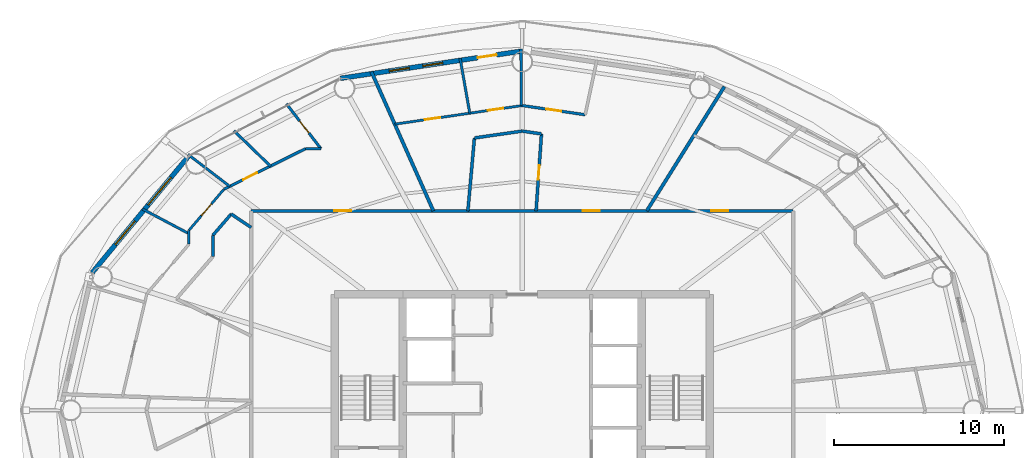
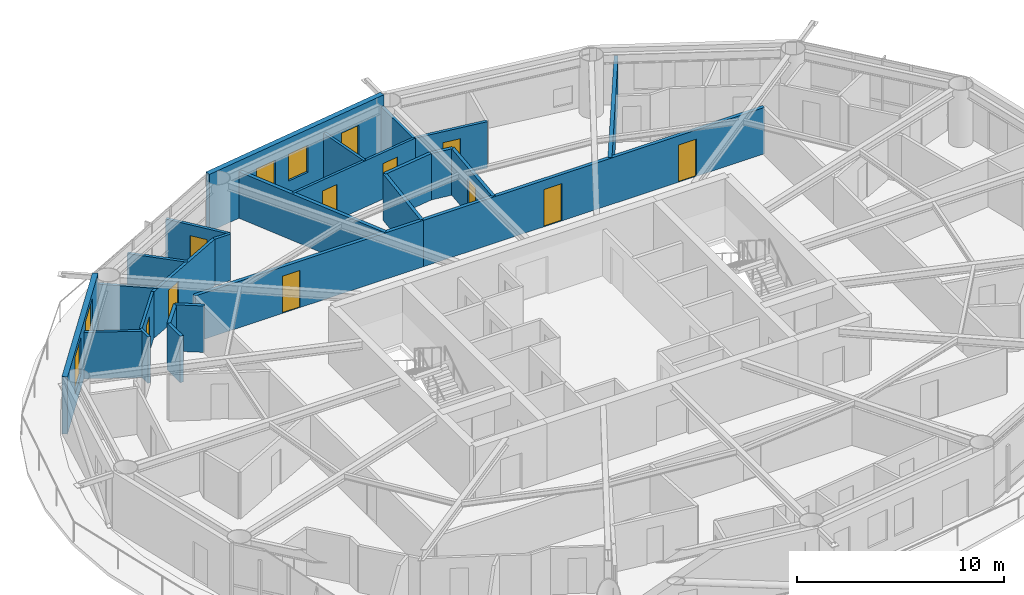
# One storey, part 23 of 27: 25 walls, 11 doors, 4 windows, 15 openings.
"""IFC4 building model written with IfcOpenShell, lengths in metres."""

import ifcopenshell
import ifcopenshell.guid

model = None  # the IFC model being written
_history = None  # IfcOwnerHistory: only IFC2X3 demands one
_inside = {}  # id of a spatial element -> (the spatial element, [elements in it])
_under = {}  # id of a project, library or spatial element -> (it, [spatial elements below it])
_declared = {}  # id of a project -> (the project, [libraries it declares])
_typed = {}  # id of a type object -> (the type object, [elements of that type])
_made_of = {}  # id of a material, layer set ... -> (it, [elements and type objects made of it])


def new_model(schema):
    """Start an empty IFC model of exactly this schema.

    Asked for "IFC4X3", IfcOpenShell would pick the latest addendum, in which some entities
    have other attributes; the version numbers below select the first issue.
    IFC2X3 requires an IfcOwnerHistory on every rooted entity: one is made here for all.
    """
    global model, _history
    if schema == "IFC4X3":
        model = ifcopenshell.file(schema_version=(4, 3, 0, 0))
    else:
        model = ifcopenshell.file(schema=schema)
    _inside.clear()
    _under.clear()
    _declared.clear()
    _typed.clear()
    _made_of.clear()
    _history = None
    if model.schema == "IFC2X3":
        org = make("IfcOrganization", Name="unknown")
        user = make(
            "IfcPersonAndOrganization",
            ThePerson=make("IfcPerson", FamilyName="unknown"),
            TheOrganization=org,
        )
        app = make(
            "IfcApplication",
            ApplicationDeveloper=org,
            Version="unknown",
            ApplicationFullName="unknown",
            ApplicationIdentifier="unknown",
        )
        _history = make(
            "IfcOwnerHistory",
            OwningUser=user,
            OwningApplication=app,
            ChangeAction="ADDED",
            CreationDate=0,
        )
    return model


def make(cls, **values):
    """One entity of the class cls with the attributes given. An attribute that is None is left unset."""
    return model.create_entity(
        cls, **{name: value for name, value in values.items() if value is not None}
    )


def rooted(cls, **values):
    """An entity with a GlobalId (a new one), such as an element, a storey or a relation."""
    return make(cls, GlobalId=ifcopenshell.guid.new(), OwnerHistory=_history, **values)


def si_unit(unit_type, name, prefix=None):
    """IfcSIUnit, for example si_unit("LENGTHUNIT", "METRE", prefix="MILLI")."""
    return make("IfcSIUnit", UnitType=unit_type, Prefix=prefix, Name=name)


def assignment(units):
    """IfcUnitAssignment: the units of a project."""
    return None if units is None else make("IfcUnitAssignment", Units=units)


def point(xyz):
    """IfcCartesianPoint."""
    return None if xyz is None else make("IfcCartesianPoint", Coordinates=xyz)


def direction(xyz):
    """IfcDirection."""
    return None if xyz is None else make("IfcDirection", DirectionRatios=xyz)


def frame(location, z_axis=None, x_axis=None):
    """IfcAxis2Placement3D, a coordinate frame: its origin and axes. An axis left out is left unset."""
    return make(
        "IfcAxis2Placement3D",
        Location=point(location),
        Axis=direction(z_axis),
        RefDirection=direction(x_axis),
    )


def frame_2d(location, x_axis=None):
    """IfcAxis2Placement2D, a coordinate frame in the plane: its origin and x axis."""
    return make(
        "IfcAxis2Placement2D", Location=point(location), RefDirection=direction(x_axis)
    )


def origin():
    """The frame at (0, 0, 0) with its axes left unset."""
    return frame((0.0, 0.0, 0.0))


def place(relative_to, where):
    """IfcLocalPlacement: puts the frame where relative to a parent placement (None: the world)."""
    return make(
        "IfcLocalPlacement", PlacementRelTo=relative_to, RelativePlacement=where
    )


def context(
    kind, dimensions, precision=None, world=None, true_north=None, identifier=None
):
    """IfcGeometricRepresentationContext, for example the 3D "Model" context."""
    return make(
        "IfcGeometricRepresentationContext",
        ContextIdentifier=identifier,
        ContextType=kind,
        CoordinateSpaceDimension=dimensions,
        Precision=precision,
        WorldCoordinateSystem=world,
        TrueNorth=true_north,
    )


def subcontext(parent, identifier, kind, view, scale=None):
    """IfcGeometricRepresentationSubContext, for example "Body" below "Model"."""
    return make(
        "IfcGeometricRepresentationSubContext",
        ContextIdentifier=identifier,
        ContextType=kind,
        ParentContext=parent,
        TargetScale=scale,
        TargetView=view,
    )


def project(units=None, contexts=None):
    """IfcProject with its units and contexts."""
    return rooted(
        "IfcProject",
        Name="project",
        RepresentationContexts=contexts,
        UnitsInContext=assignment(units),
    )


def spatial(cls, under=None, at=None, **own):
    """A site, building, storey or space (cls), placed at a placement, below another one or the project."""
    s = rooted(cls, ObjectPlacement=at, **own)
    if under is not None:
        _under.setdefault(under.id(), (under, []))[1].append(s)
    return s


def profile(cls, at=None, kind="AREA", **sizes):
    """A parametric profile (cls). Its sizes go by their IFC names, for example OverallWidth=200.0."""
    return make(cls, ProfileType=kind, Position=at, **sizes)


def rectangle(**sizes):
    """IfcRectangleProfileDef."""
    return profile("IfcRectangleProfileDef", **sizes)


def extrude(swept, where, along, depth):
    """IfcExtrudedAreaSolid: the profile swept, set in the frame where, extruded along a direction by depth."""
    return make(
        "IfcExtrudedAreaSolid",
        SweptArea=swept,
        Position=where,
        ExtrudedDirection=direction(along),
        Depth=depth,
    )


def shape(context_of_items, identifier, shape_type, items):
    """IfcShapeRepresentation: the items that make up one representation, for example the "Body"."""
    return make(
        "IfcShapeRepresentation",
        ContextOfItems=context_of_items,
        RepresentationIdentifier=identifier,
        RepresentationType=shape_type,
        Items=items,
    )


def material(Name=None, Category=None):
    """IfcMaterial."""
    return make("IfcMaterial", Name=Name, Category=Category)


def layer(
    of_material, thickness, ventilated=None, Name=None, Category=None, Priority=None
):
    """IfcMaterialLayer: one layer of a wall or slab, of a material (None: an air gap)."""
    return make(
        "IfcMaterialLayer",
        Material=of_material,
        LayerThickness=thickness,
        IsVentilated=ventilated,
        Name=Name,
        Category=Category,
        Priority=Priority,
    )


def layer_set(layers, Name=None):
    """IfcMaterialLayerSet."""
    return make("IfcMaterialLayerSet", MaterialLayers=layers, LayerSetName=Name)


def made_of(thing, what):
    """Note that an element or type object is made of a material, layer set ...; save() writes the relation."""
    if what is not None:
        _made_of.setdefault(what.id(), (what, []))[1].append(thing)
    return thing


def type_object(cls, material=None, **own):
    """A type object (cls), such as IfcWallType, which elements share."""
    return made_of(rooted(cls, **own), material)


def element(
    cls,
    number,
    at=None,
    inside=None,
    cuts=None,
    type_object=None,
    material=None,
    context=None,
    identifier="Body",
    shape_type=None,
    held_by="IfcProductDefinitionShape",
    body=None,
    shapes=None,
    **own,
):
    """One element of the class cls, such as IfcWall. Its Tag is "e" and its number.

    at: its placement. inside: the storey or other place that contains it. cuts: it is an
    opening in that element (IfcRelVoidsElement). A single representation is given by context,
    identifier, shape_type and body (its items); several are given by shapes. held_by: the class
    of the entity that holds the representations. save() writes the other relations.
    """
    e = rooted(cls, Tag="e%d" % number, ObjectPlacement=at, **own)
    if body is not None:
        shapes = [shape(context, identifier, shape_type, body)]
    if shapes is not None:
        e.Representation = make(held_by, Representations=shapes)
    if inside is not None:
        _inside.setdefault(inside.id(), (inside, []))[1].append(e)
    if cuts is not None:
        rooted(
            "IfcRelVoidsElement", RelatingBuildingElement=cuts, RelatedOpeningElement=e
        )
    if type_object is not None:
        _typed.setdefault(type_object.id(), (type_object, []))[1].append(e)
    return made_of(e, material)


def fill(opening, filler):
    """IfcRelFillsElement: the door or window that sits in an opening."""
    return rooted(
        "IfcRelFillsElement",
        RelatingOpeningElement=opening,
        RelatedBuildingElement=filler,
    )


def aggregate(whole, parts):
    """IfcRelAggregates: a whole, such as a stair, and the parts it consists of."""
    return rooted("IfcRelAggregates", RelatingObject=whole, RelatedObjects=parts)


def save(model, path):
    """Write the relations noted so far, then the file.

    IfcRelAggregates (storeys below a building ...), IfcRelContainedInSpatialStructure (elements
    in a storey), IfcRelDefinesByType, IfcRelAssociatesMaterial and IfcRelDeclares: one each for
    every whole, place, type object, material and project.
    """
    for whole, parts in _under.values():
        aggregate(whole, parts)
    for where, things in _inside.values():
        rooted(
            "IfcRelContainedInSpatialStructure",
            RelatedElements=things,
            RelatingStructure=where,
        )
    for kind, things in _typed.values():
        rooted("IfcRelDefinesByType", RelatedObjects=things, RelatingType=kind)
    for what, things in _made_of.values():
        rooted("IfcRelAssociatesMaterial", RelatedObjects=things, RelatingMaterial=what)
    for by, libraries in _declared.values():
        rooted("IfcRelDeclares", RelatingContext=by, RelatedDefinitions=libraries)
    model.write(path)


model = new_model("IFC4")

# Units and contexts
model_context = context("Model", 3, precision=1e-05, world=origin(), true_north=direction((0.0, 1.0)))
body_context = subcontext(model_context, "Body", "Model", "MODEL_VIEW")
ifc_project = project(units=[si_unit("LENGTHUNIT", "METRE"), si_unit("AREAUNIT", "SQUARE_METRE"), si_unit("VOLUMEUNIT", "CUBIC_METRE"), si_unit("PLANEANGLEUNIT", "RADIAN"), si_unit("MASSUNIT", "GRAM", prefix="KILO")], contexts=[model_context])

# Site, building, storey
site_placement = place(None, origin())
site = spatial("IfcSite", under=ifc_project, at=site_placement, CompositionType="ELEMENT")
building_placement = place(site_placement, origin())
building = spatial("IfcBuilding", under=site, at=building_placement, Name="Sarneth Arch Tower", CompositionType="ELEMENT")
storey_placement = place(building_placement, frame((0.0, 0.0, 193.800048828125)))
storey = spatial("IfcBuildingStorey", under=building, at=storey_placement, Name="L49", CompositionType="ELEMENT", Elevation=193.800048828125)

# Wall, opening, door
ifc_material_1 = material(Name="Double steel-stud corridor fire wall", Category="steel")
ifc_layer_1 = layer(ifc_material_1, 0.18994140625)
ifc_layer_set_1 = layer_set([ifc_layer_1], Name="Double steel-stud corridor fire wall")
wall_type_1 = type_object("IfcWallType", Name="WALL-CORR-190", PredefinedType="PARTITIONING", material=ifc_layer_set_1)
wall_1_placement = place(storey_placement, frame((32.10009765625, 53.699951171875, 0.0), z_axis=(0.0, 0.0, 1.0), x_axis=(1.0, 0.0, 0.0)))
wall_1 = element("IfcWall", 1, at=wall_1_placement, inside=storey, type_object=wall_type_1, Name="L49 Interior partition W-L49-TP-009", PredefinedType="PARTITIONING", context=body_context, shape_type="SweptSolid", body=[
    extrude(rectangle(XDim=12.748046875, YDim=0.18994140625, at=frame_2d((6.3740234375, 0.0))), origin(), (0.0, 0.0, 1.0), 2.739990234375),
])
opening_1_placement = place(wall_1_placement, frame((4.86279296875, 0.0, 0.0)))
opening_1 = element("IfcOpeningElement", 2, at=opening_1_placement, cuts=wall_1, Name="Opening FD-08", PredefinedType="OPENING", context=body_context, shape_type="SweptSolid", body=[
    extrude(rectangle(XDim=1.0, YDim=2.199951171875, at=frame_2d((0.5, 1.10009765625))), frame((0.0, 0.10498046875, 0.0), z_axis=(0.0, -1.0, 0.0), x_axis=(1.0, 0.0, 0.0)), (0.0, 0.0, 1.0), 0.2099609375),
])
ifc_material_2 = material(Name="Hardwood timber acoustic fire door", Category="wood")
door_type_1 = type_object("IfcDoorType", Name="DR-FD60-1000", OperationType="SINGLE_SWING_LEFT", PredefinedType="DOOR", material=ifc_material_2)
door_1_placement = place(opening_1_placement, origin())
door_1 = element("IfcDoor", 3, at=door_1_placement, inside=storey, type_object=door_type_1, Name="L49 Interior door DR-L49-U3-ENT", OperationType="SINGLE_SWING_LEFT", OverallHeight=2.199951171875, OverallWidth=1.0, PredefinedType="DOOR", context=body_context, shape_type="SweptSolid", body=[
    extrude(rectangle(XDim=1.0, YDim=2.199951171875, at=frame_2d((0.5, 1.10009765625))), frame((0.0, 0.02490234375, 0.0), z_axis=(0.0, -1.0, 0.0), x_axis=(1.0, 0.0, 0.0)), (0.0, 0.0, 1.0), 0.050048828125),
])
fill(opening_1, door_1)

# Wall, openings, doors
wall_2_placement = place(storey_placement, frame((44.783935546875, 53.699951171875, 0.0), z_axis=(0.0, 0.0, 1.0), x_axis=(1.0, 0.0, 0.0)))
wall_2 = element("IfcWall", 4, at=wall_2_placement, inside=storey, type_object=wall_type_1, Name="L49 Interior partition W-L49-TP-001", PredefinedType="PARTITIONING", context=body_context, shape_type="SweptSolid", body=[
    extrude(rectangle(XDim=19.115966796875, YDim=0.18994140625, at=frame_2d((9.55810546875, 0.0))), origin(), (0.0, 0.0, 1.0), 2.739990234375),
])
opening_2_placement = place(wall_2_placement, frame((14.302490234375, 0.0, 0.0)))
opening_2 = element("IfcOpeningElement", 5, at=opening_2_placement, cuts=wall_2, Name="Opening FD-08", PredefinedType="OPENING", context=body_context, shape_type="SweptSolid", body=[
    extrude(rectangle(XDim=1.0, YDim=2.199951171875, at=frame_2d((0.5, 1.10009765625))), frame((0.0, 0.10498046875, 0.0), z_axis=(0.0, -1.0, 0.0), x_axis=(1.0, 0.0, 0.0)), (0.0, 0.0, 1.0), 0.2099609375),
])
opening_3_placement = place(wall_2_placement, frame((6.783203125, 0.0, 0.0)))
opening_3 = element("IfcOpeningElement", 6, at=opening_3_placement, cuts=wall_2, Name="Opening FD-08", PredefinedType="OPENING", context=body_context, shape_type="SweptSolid", body=[
    extrude(rectangle(XDim=1.0, YDim=2.199951171875, at=frame_2d((0.5, 1.10009765625))), frame((0.0, 0.10498046875, 0.0), z_axis=(0.0, -1.0, 0.0), x_axis=(1.0, 0.0, 0.0)), (0.0, 0.0, 1.0), 0.2099609375),
])
door_2_placement = place(opening_2_placement, origin())
door_2 = element("IfcDoor", 7, at=door_2_placement, inside=storey, type_object=door_type_1, Name="L49 Interior door DR-L49-U1-ENT", OperationType="SINGLE_SWING_LEFT", OverallHeight=2.199951171875, OverallWidth=1.0, PredefinedType="DOOR", context=body_context, shape_type="SweptSolid", body=[
    extrude(rectangle(XDim=1.0, YDim=2.199951171875, at=frame_2d((0.5, 1.10009765625))), frame((0.0, 0.02490234375, 0.0), z_axis=(0.0, -1.0, 0.0), x_axis=(1.0, 0.0, 0.0)), (0.0, 0.0, 1.0), 0.050048828125),
])
fill(opening_2, door_2)
door_3_placement = place(opening_3_placement, origin())
door_3 = element("IfcDoor", 8, at=door_3_placement, inside=storey, type_object=door_type_1, Name="L49 Interior door DR-L49-U2-ENT", OperationType="SINGLE_SWING_RIGHT", OverallHeight=2.199951171875, OverallWidth=1.0, PredefinedType="DOOR", context=body_context, shape_type="SweptSolid", body=[
    extrude(rectangle(XDim=1.0, YDim=2.199951171875, at=frame_2d((0.5, 1.10009765625))), frame((0.0, 0.02490234375, 0.0), z_axis=(0.0, -1.0, 0.0), x_axis=(1.0, 0.0, 0.0)), (0.0, 0.0, 1.0), 0.050048828125),
])
fill(opening_3, door_3)

# Wall, openings, door, windows
ifc_material_3 = material(Name="Extruded terracotta rainscreen on Concrete C40/50 backing", Category="masonry")
ifc_layer_2 = layer(ifc_material_3, 0.280029296875)
ifc_layer_set_2 = layer_set([ifc_layer_2], Name="Extruded terracotta rainscreen on Concrete C40/50 backing")
wall_type_2 = type_object("IfcWallType", Name="WALL-EXT-TERRA-280", PredefinedType="SOLIDWALL", material=ifc_layer_set_2)
wall_3_placement = place(storey_placement, frame((48.0, 63.080078125, 0.0), z_axis=(0.0, 0.0, 1.0), x_axis=(-0.988863993413, -0.148822049884, 0.0)))
wall_3 = element("IfcWall", 9, at=wall_3_placement, inside=storey, type_object=wall_type_2, Name="L49 Terracotta perimeter wall 05", PredefinedType="SOLIDWALL", context=body_context, shape_type="SweptSolid", body=[
    extrude(rectangle(XDim=10.782958984375, YDim=0.280029296875, at=frame_2d((5.3916015625, 0.0))), origin(), (0.0, 0.0, 1.0), 3.3798828125),
])
opening_4_placement = place(wall_3_placement, frame((1.523681640625, 0.0, 0.0)))
opening_4 = element("IfcOpeningElement", 10, at=opening_4_placement, cuts=wall_3, Name="Opening BD-3", PredefinedType="OPENING", context=body_context, shape_type="SweptSolid", body=[
    extrude(rectangle(XDim=1.10009765625, YDim=2.25, at=frame_2d((0.550048828125, 1.125))), frame((0.0, 0.14990234375, 0.0), z_axis=(0.0, -1.0, 0.0), x_axis=(1.0, 0.0, 0.0)), (0.0, 0.0, 1.0), 0.300048828125),
])
opening_5_placement = place(wall_3_placement, frame((4.7021484375, 0.0, 0.85009765625)))
opening_5 = element("IfcOpeningElement", 11, at=opening_5_placement, cuts=wall_3, Name="Opening W-10", PredefinedType="OPENING", context=body_context, shape_type="SweptSolid", body=[
    extrude(rectangle(XDim=1.199951171875, YDim=1.60009765625, at=frame_2d((0.60009765625, 0.800048828125))), frame((0.0, 0.14990234375, 0.0), z_axis=(0.0, -1.0, 0.0), x_axis=(1.0, 0.0, 0.0)), (0.0, 0.0, 1.0), 0.300048828125),
])
opening_6_placement = place(wall_3_placement, frame((6.689697265625, 0.0, 0.85009765625)))
opening_6 = element("IfcOpeningElement", 12, at=opening_6_placement, cuts=wall_3, Name="Opening W-10", PredefinedType="OPENING", context=body_context, shape_type="SweptSolid", body=[
    extrude(rectangle(XDim=1.199951171875, YDim=1.60009765625, at=frame_2d((0.60009765625, 0.800048828125))), frame((0.0, 0.14990234375, 0.0), z_axis=(0.0, -1.0, 0.0), x_axis=(1.0, 0.0, 0.0)), (0.0, 0.0, 1.0), 0.300048828125),
])
ifc_material_4 = material(Name="Thermally broken Aluminium 6063-T6 and laminated safety glass", Category="aluminium")
door_type_2 = type_object("IfcDoorType", Name="DR-BALC-GLZ-1100", OperationType="SINGLE_SWING_LEFT", PredefinedType="DOOR", material=ifc_material_4)
door_4_placement = place(opening_4_placement, origin())
door_4 = element("IfcDoor", 13, at=door_4_placement, inside=storey, type_object=door_type_2, Name="L49 Balcony glazed door 05", OperationType="SINGLE_SWING_LEFT", OverallHeight=2.25, OverallWidth=1.10009765625, PredefinedType="DOOR", context=body_context, shape_type="SweptSolid", body=[
    extrude(rectangle(XDim=1.10009765625, YDim=2.25, at=frame_2d((0.550048828125, 1.125))), frame((0.0, 0.02490234375, 0.0), z_axis=(0.0, -1.0, 0.0), x_axis=(1.0, 0.0, 0.0)), (0.0, 0.0, 1.0), 0.050048828125),
])
fill(opening_4, door_4)
ifc_material_5 = material(Name="Thermally broken Aluminium 6063-T6 and low-e laminated IGU", Category="aluminium")
window_type_1 = type_object("IfcWindowType", Name="WIN-TWR-1200x1600", PartitioningType="SINGLE_PANEL", PredefinedType="WINDOW", material=ifc_material_5)
window_1_placement = place(opening_5_placement, origin())
window_1 = element("IfcWindow", 14, at=window_1_placement, inside=storey, type_object=window_type_1, Name="L49 Exterior window 05A", OverallHeight=1.60009765625, OverallWidth=1.199951171875, PartitioningType="SINGLE_PANEL", PredefinedType="WINDOW", context=body_context, shape_type="SweptSolid", body=[
    extrude(rectangle(XDim=1.199951171875, YDim=1.60009765625, at=frame_2d((0.60009765625, 0.800048828125))), frame((0.0, 0.030029296875, 0.0), z_axis=(0.0, -1.0, 0.0), x_axis=(1.0, 0.0, 0.0)), (0.0, 0.0, 1.0), 0.06005859375),
])
fill(opening_5, window_1)
window_2_placement = place(opening_6_placement, origin())
window_2 = element("IfcWindow", 15, at=window_2_placement, inside=storey, type_object=window_type_1, Name="L49 Exterior window 05B", OverallHeight=1.60009765625, OverallWidth=1.199951171875, PartitioningType="SINGLE_PANEL", PredefinedType="WINDOW", context=body_context, shape_type="SweptSolid", body=[
    extrude(rectangle(XDim=1.199951171875, YDim=1.60009765625, at=frame_2d((0.60009765625, 0.800048828125))), frame((0.0, 0.030029296875, 0.0), z_axis=(0.0, -1.0, 0.0), x_axis=(1.0, 0.0, 0.0)), (0.0, 0.0, 1.0), 0.06005859375),
])
fill(opening_6, window_2)

# Wall, openings, windows
wall_4_placement = place(storey_placement, frame((28.423828125, 56.90576171875, 0.0), z_axis=(0.0, 0.0, 1.0), x_axis=(-0.637333477683, -0.770588111915, 0.0)))
wall_4 = element("IfcWall", 16, at=wall_4_placement, inside=storey, type_object=wall_type_2, Name="L49 Terracotta perimeter wall 07", PredefinedType="SOLIDWALL", context=body_context, shape_type="SweptSolid", body=[
    extrude(rectangle(XDim=8.874755859375, YDim=0.280029296875, at=frame_2d((4.4375, 0.0))), origin(), (0.0, 0.0, 1.0), 3.3798828125),
])
opening_7_placement = place(wall_4_placement, frame((1.611328125, 0.0, 0.85009765625)))
opening_7 = element("IfcOpeningElement", 17, at=opening_7_placement, cuts=wall_4, Name="Opening W-03", PredefinedType="OPENING", context=body_context, shape_type="SweptSolid", body=[
    extrude(rectangle(XDim=2.10009765625, YDim=2.199951171875, at=frame_2d((1.050048828125, 1.10009765625))), frame((0.0, 0.14990234375, 0.0), z_axis=(0.0, -1.0, 0.0), x_axis=(1.0, 0.0, 0.0)), (0.0, 0.0, 1.0), 0.300048828125),
])
opening_8_placement = place(wall_4_placement, frame((4.92919921875, 0.0, 0.85009765625)))
opening_8 = element("IfcOpeningElement", 18, at=opening_8_placement, cuts=wall_4, Name="Opening W-04", PredefinedType="OPENING", context=body_context, shape_type="SweptSolid", body=[
    extrude(rectangle(XDim=1.800048828125, YDim=2.199951171875, at=frame_2d((0.89990234375, 1.10009765625))), frame((0.0, 0.14990234375, 0.0), z_axis=(0.0, -1.0, 0.0), x_axis=(1.0, 0.0, 0.0)), (0.0, 0.0, 1.0), 0.300048828125),
])
ifc_material_6 = material(Name="Thermally broken Aluminium 6063-T6 and low-e laminated IGU", Category="aluminium")
window_type_2 = type_object("IfcWindowType", Name="WIN-TWR-1800x2200", PartitioningType="DOUBLE_PANEL_VERTICAL", PredefinedType="WINDOW", material=ifc_material_6)
window_3_placement = place(opening_8_placement, origin())
window_3 = element("IfcWindow", 19, at=window_3_placement, inside=storey, type_object=window_type_2, Name="L49 Exterior window 07B", OverallHeight=2.199951171875, OverallWidth=1.800048828125, PartitioningType="SINGLE_PANEL", PredefinedType="WINDOW", context=body_context, shape_type="SweptSolid", body=[
    extrude(rectangle(XDim=1.800048828125, YDim=2.199951171875, at=frame_2d((0.89990234375, 1.10009765625))), frame((0.0, 0.030029296875, 0.0), z_axis=(0.0, -1.0, 0.0), x_axis=(1.0, 0.0, 0.0)), (0.0, 0.0, 1.0), 0.06005859375),
])
fill(opening_8, window_3)
ifc_material_7 = material(Name="Thermally broken Aluminium 6063-T6 and low-e laminated IGU", Category="aluminium")
window_type_3 = type_object("IfcWindowType", Name="WIN-TWR-2100x2200", PartitioningType="DOUBLE_PANEL_VERTICAL", PredefinedType="WINDOW", material=ifc_material_7)
window_4_placement = place(opening_7_placement, origin())
window_4 = element("IfcWindow", 20, at=window_4_placement, inside=storey, type_object=window_type_3, Name="L49 Exterior window 07A", OverallHeight=2.199951171875, OverallWidth=2.10009765625, PartitioningType="SINGLE_PANEL", PredefinedType="WINDOW", context=body_context, shape_type="SweptSolid", body=[
    extrude(rectangle(XDim=2.10009765625, YDim=2.199951171875, at=frame_2d((1.050048828125, 1.10009765625))), frame((0.0, 0.030029296875, 0.0), z_axis=(0.0, -1.0, 0.0), x_axis=(1.0, 0.0, 0.0)), (0.0, 0.0, 1.0), 0.06005859375),
])
fill(opening_7, window_4)

# Wall, openings, doors
ifc_material_8 = material(Name="Apartment internal stud partition", Category="gypsum")
ifc_layer_3 = layer(ifc_material_8, 0.139892578125)
ifc_layer_set_3 = layer_set([ifc_layer_3], Name="Apartment internal stud partition")
wall_type_3 = type_object("IfcWallType", Name="WALL-PART-140", PredefinedType="PARTITIONING", material=ifc_layer_set_3)
wall_5_placement = place(storey_placement, frame((40.52587890625, 58.786865234375, 0.0), z_axis=(0.0, 0.0, 1.0), x_axis=(0.989472726968, 0.144719461672, 0.0)))
wall_5 = element("IfcWall", 21, at=wall_5_placement, inside=storey, type_object=wall_type_3, Name="L49 Interior partition W-L49-TP-048", PredefinedType="PARTITIONING", context=body_context, shape_type="SweptSolid", body=[
    extrude(rectangle(XDim=7.532470703125, YDim=0.139892578125, at=frame_2d((3.76611328125, 0.0))), origin(), (0.0, 0.0, 1.0), 2.739990234375),
])
opening_9_placement = place(wall_5_placement, frame((1.789794921875, 0.0, 0.0)))
opening_9 = element("IfcOpeningElement", 22, at=opening_9_placement, cuts=wall_5, Name="Opening ID-01", PredefinedType="OPENING", context=body_context, shape_type="SweptSolid", body=[
    extrude(rectangle(XDim=0.89990234375, YDim=2.10009765625, at=frame_2d((0.449951171875, 1.050048828125))), frame((0.0, 0.079833984375, 0.0), z_axis=(0.0, -1.0, 0.0), x_axis=(1.0, 0.0, 0.0)), (0.0, 0.0, 1.0), 0.159912109375),
])
opening_10_placement = place(wall_5_placement, frame((5.523681640625, 0.0, 0.0)))
opening_10 = element("IfcOpeningElement", 23, at=opening_10_placement, cuts=wall_5, Name="Opening ID-01", PredefinedType="OPENING", context=body_context, shape_type="SweptSolid", body=[
    extrude(rectangle(XDim=0.89990234375, YDim=2.10009765625, at=frame_2d((0.449951171875, 1.050048828125))), frame((0.0, 0.079833984375, 0.0), z_axis=(0.0, -1.0, 0.0), x_axis=(1.0, 0.0, 0.0)), (0.0, 0.0, 1.0), 0.159912109375),
])
ifc_material_9 = material(Name="Engineered hardwood flush door", Category="wood")
door_type_3 = type_object("IfcDoorType", Name="DR-INT-900", OperationType="SINGLE_SWING_LEFT", PredefinedType="DOOR", material=ifc_material_9)
door_5_placement = place(opening_9_placement, origin())
door_5 = element("IfcDoor", 24, at=door_5_placement, inside=storey, type_object=door_type_3, Name="L49 Interior door DR-L49-U2-BED2", OperationType="SINGLE_SWING_RIGHT", OverallHeight=2.10009765625, OverallWidth=0.89990234375, PredefinedType="DOOR", context=body_context, shape_type="SweptSolid", body=[
    extrude(rectangle(XDim=0.89990234375, YDim=2.10009765625, at=frame_2d((0.449951171875, 1.050048828125))), frame((0.0, 0.02490234375, 0.0), z_axis=(0.0, -1.0, 0.0), x_axis=(1.0, 0.0, 0.0)), (0.0, 0.0, 1.0), 0.050048828125),
])
fill(opening_9, door_5)
door_6_placement = place(opening_10_placement, origin())
door_6 = element("IfcDoor", 25, at=door_6_placement, inside=storey, type_object=door_type_3, Name="L49 Interior door DR-L49-U2-BED1", OperationType="SINGLE_SWING_LEFT", OverallHeight=2.10009765625, OverallWidth=0.89990234375, PredefinedType="DOOR", context=body_context, shape_type="SweptSolid", body=[
    extrude(rectangle(XDim=0.89990234375, YDim=2.10009765625, at=frame_2d((0.449951171875, 1.050048828125))), frame((0.0, 0.02490234375, 0.0), z_axis=(0.0, -1.0, 0.0), x_axis=(1.0, 0.0, 0.0)), (0.0, 0.0, 1.0), 0.050048828125),
])
fill(opening_10, door_6)

# Wall, opening, door
wall_6_placement = place(storey_placement, frame((28.449951171875, 52.556640625, 0.0), z_axis=(0.0, 0.0, 1.0), x_axis=(0.647888606369, 0.761735094201, 0.0)))
wall_6 = element("IfcWall", 26, at=wall_6_placement, inside=storey, type_object=wall_type_3, Name="L49 Interior partition W-L49-TP-063", PredefinedType="PARTITIONING", context=body_context, shape_type="SweptSolid", body=[
    extrude(rectangle(XDim=3.15673828125, YDim=0.139892578125, at=frame_2d((1.578369140625, 0.0))), origin(), (0.0, 0.0, 1.0), 2.739990234375),
])
opening_11_placement = place(wall_6_placement, frame((1.12841796875, 0.0, 0.0)))
opening_11 = element("IfcOpeningElement", 27, at=opening_11_placement, cuts=wall_6, Name="Opening ID-01", PredefinedType="OPENING", context=body_context, shape_type="SweptSolid", body=[
    extrude(rectangle(XDim=0.89990234375, YDim=2.10009765625, at=frame_2d((0.449951171875, 1.050048828125))), frame((0.0, 0.079833984375, 0.0), z_axis=(0.0, -1.0, 0.0), x_axis=(1.0, 0.0, 0.0)), (0.0, 0.0, 1.0), 0.159912109375),
])
door_7_placement = place(opening_11_placement, origin())
door_7 = element("IfcDoor", 28, at=door_7_placement, inside=storey, type_object=door_type_3, Name="L49 Interior door DR-L49-U3-BED1", OperationType="SINGLE_SWING_RIGHT", OverallHeight=2.10009765625, OverallWidth=0.89990234375, PredefinedType="DOOR", context=body_context, shape_type="SweptSolid", body=[
    extrude(rectangle(XDim=0.89990234375, YDim=2.10009765625, at=frame_2d((0.449951171875, 1.050048828125))), frame((0.0, 0.02490234375, 0.0), z_axis=(0.0, -1.0, 0.0), x_axis=(1.0, 0.0, 0.0)), (0.0, 0.0, 1.0), 0.050048828125),
])
fill(opening_11, door_7)

# Walls
ifc_material_10 = material(Name="Acoustic gypsum stud partition", Category="gypsum")
ifc_layer_4 = layer(ifc_material_10, 0.14990234375)
ifc_layer_set_4 = layer_set([ifc_layer_4], Name="Acoustic gypsum stud partition")
wall_type_4 = type_object("IfcWallType", Name="WALL-PART-150", PredefinedType="PARTITIONING", material=ifc_layer_set_4)
wall_7_placement = place(storey_placement, frame((44.926513671875, 59.430419921875, 0.0), z_axis=(0.0, 0.0, 1.0), x_axis=(-0.17359807558, 0.984816586048, 0.0)))
element("IfcWall", 29, at=wall_7_placement, inside=storey, type_object=wall_type_4, Name="L49 Interior partition W-L49-TP-051", PredefinedType="PARTITIONING", context=body_context, shape_type="SweptSolid", body=[
    extrude(rectangle(XDim=3.272705078125, YDim=0.14990234375, at=frame_2d((1.63623046875, 0.0))), origin(), (0.0, 0.0, 1.0), 2.739990234375),
])
wall_8_placement = place(storey_placement, frame((28.449951171875, 52.36181640625, 0.0), z_axis=(0.0, 0.0, 1.0), x_axis=(-0.883567356142, 0.468304096886, 0.0)))
element("IfcWall", 30, at=wall_8_placement, inside=storey, type_object=wall_type_4, Name="L49 Interior partition W-L49-TP-073", PredefinedType="PARTITIONING", context=body_context, shape_type="SweptSolid", body=[
    extrude(rectangle(XDim=3.09765625, YDim=0.14990234375, at=frame_2d((1.548828125, 0.0))), origin(), (0.0, 0.0, 1.0), 2.739990234375),
])
wall_9_placement = place(storey_placement, frame((30.845703125, 55.135986328125, 0.0), z_axis=(0.0, 0.0, 1.0), x_axis=(-0.793971553825, 0.607954909279, 0.0)))
element("IfcWall", 31, at=wall_9_placement, inside=storey, type_object=wall_type_4, Name="L49 Interior partition W-L49-TP-072", PredefinedType="PARTITIONING", context=body_context, shape_type="SweptSolid", body=[
    extrude(rectangle(XDim=3.0869140625, YDim=0.14990234375, at=frame_2d((1.54345703125, 0.0))), origin(), (0.0, 0.0, 1.0), 2.739990234375),
])
wall_10_placement = place(storey_placement, frame((28.449951171875, 51.744384765625, 0.0), z_axis=(0.0, 0.0, 1.0), x_axis=(0.0, 1.0, 0.0)))
element("IfcWall", 32, at=wall_10_placement, inside=storey, type_object=wall_type_4, Name="L49 Interior partition W-L49-TP-067", PredefinedType="PARTITIONING", context=body_context, shape_type="SweptSolid", body=[
    extrude(rectangle(XDim=0.812255859375, YDim=0.14990234375, at=frame_2d((0.40625, 0.0))), origin(), (0.0, 0.0, 1.0), 2.739990234375),
])

# Wall, opening, door
ifc_material_11 = material(Name="Kitchen wet service chase wall", Category="gypsum")
ifc_layer_5 = layer(ifc_material_11, 0.159912109375)
ifc_layer_set_5 = layer_set([ifc_layer_5], Name="Kitchen wet service chase wall")
wall_type_5 = type_object("IfcWallType", Name="WALL-PLUMB-160", PredefinedType="PLUMBINGWALL", material=ifc_layer_set_5)
wall_11_placement = place(storey_placement, frame((51.698974609375, 59.339111328125, 0.0), z_axis=(0.0, 0.0, 1.0), x_axis=(-0.98948182168, 0.144657265858, 0.0)))
wall_11 = element("IfcWall", 33, at=wall_11_placement, inside=storey, type_object=wall_type_5, Name="L49 Interior partition W-L49-TP-042", PredefinedType="PLUMBINGWALL", context=body_context, shape_type="SweptSolid", body=[
    extrude(rectangle(XDim=3.73828125, YDim=0.159912109375, at=frame_2d((1.869140625, 0.0))), origin(), (0.0, 0.0, 1.0), 2.739990234375),
])
opening_12_placement = place(wall_11_placement, frame((1.419189453125, 0.0, 0.0)))
opening_12 = element("IfcOpeningElement", 34, at=opening_12_placement, cuts=wall_11, Name="Opening ID-01", PredefinedType="OPENING", context=body_context, shape_type="SweptSolid", body=[
    extrude(rectangle(XDim=0.89990234375, YDim=2.10009765625, at=frame_2d((0.449951171875, 1.050048828125))), frame((0.0, 0.08984375, 0.0), z_axis=(0.0, -1.0, 0.0), x_axis=(1.0, 0.0, 0.0)), (0.0, 0.0, 1.0), 0.179931640625),
])
door_8_placement = place(opening_12_placement, origin())
door_8 = element("IfcDoor", 35, at=door_8_placement, inside=storey, type_object=door_type_3, Name="L49 Interior door DR-L49-U2-KIT", OperationType="SINGLE_SWING_LEFT", OverallHeight=2.10009765625, OverallWidth=0.89990234375, PredefinedType="DOOR", context=body_context, shape_type="SweptSolid", body=[
    extrude(rectangle(XDim=0.89990234375, YDim=2.10009765625, at=frame_2d((0.449951171875, 1.050048828125))), frame((0.0, 0.02490234375, 0.0), z_axis=(0.0, -1.0, 0.0), x_axis=(1.0, 0.0, 0.0)), (0.0, 0.0, 1.0), 0.050048828125),
])
fill(opening_12, door_8)

wall_12_placement = place(storey_placement, frame((36.19189453125, 57.35009765625, 0.0), z_axis=(0.0, 0.0, 1.0), x_axis=(-0.60972852226, 0.792610326164, 0.0)))
wall_12 = element("IfcWall", 36, at=wall_12_placement, inside=storey, type_object=wall_type_5, Name="L49 Interior partition W-L49-TP-056", PredefinedType="PLUMBINGWALL", context=body_context, shape_type="SweptSolid", body=[
    extrude(rectangle(XDim=3.3212890625, YDim=0.159912109375, at=frame_2d((1.66064453125, 0.0))), origin(), (0.0, 0.0, 1.0), 2.739990234375),
])
opening_13_placement = place(wall_12_placement, frame((1.150634765625, 0.0, 0.0)))
opening_13 = element("IfcOpeningElement", 37, at=opening_13_placement, cuts=wall_12, Name="Opening ID-01", PredefinedType="OPENING", context=body_context, shape_type="SweptSolid", body=[
    extrude(rectangle(XDim=0.89990234375, YDim=2.10009765625, at=frame_2d((0.449951171875, 1.050048828125))), frame((0.0, 0.08984375, 0.0), z_axis=(0.0, -1.0, 0.0), x_axis=(1.0, 0.0, 0.0)), (0.0, 0.0, 1.0), 0.179931640625),
])
door_9_placement = place(opening_13_placement, origin())
door_9 = element("IfcDoor", 38, at=door_9_placement, inside=storey, type_object=door_type_3, Name="L49 Interior door DR-L49-U3-KIT", OperationType="SINGLE_SWING_RIGHT", OverallHeight=2.10009765625, OverallWidth=0.89990234375, PredefinedType="DOOR", context=body_context, shape_type="SweptSolid", body=[
    extrude(rectangle(XDim=0.89990234375, YDim=2.10009765625, at=frame_2d((0.449951171875, 1.050048828125))), frame((0.0, 0.02490234375, 0.0), z_axis=(0.0, -1.0, 0.0), x_axis=(1.0, 0.0, 0.0)), (0.0, 0.0, 1.0), 0.050048828125),
])
fill(opening_13, door_9)

# Walls
wall_13_placement = place(storey_placement, frame((47.947021484375, 59.872314453125, 0.0), z_axis=(0.0, 0.0, 1.0), x_axis=(-0.003016466559, 0.999995450454, 0.0)))
element("IfcWall", 39, at=wall_13_placement, inside=storey, type_object=wall_type_5, Name="L49 Interior partition W-L49-TP-050", PredefinedType="PLUMBINGWALL", context=body_context, shape_type="SweptSolid", body=[
    extrude(rectangle(XDim=3.318359375, YDim=0.159912109375, at=frame_2d((1.6591796875, 0.0))), origin(), (0.0, 0.0, 1.0), 2.739990234375),
])
wall_14_placement = place(storey_placement, frame((31.09130859375, 58.40087890625, 0.0), z_axis=(0.0, 0.0, 1.0), x_axis=(0.717793726231, -0.696255819785, 0.0)))
element("IfcWall", 40, at=wall_14_placement, inside=storey, type_object=wall_type_5, Name="L49 Interior partition W-L49-TP-071", PredefinedType="PLUMBINGWALL", context=body_context, shape_type="SweptSolid", body=[
    extrude(rectangle(XDim=2.981201171875, YDim=0.159912109375, at=frame_2d((1.49072265625, 0.0))), origin(), (0.0, 0.0, 1.0), 2.739990234375),
])

# Wall, opening, door
wall_15_placement = place(storey_placement, frame((30.4951171875, 54.961181640625, 0.0), z_axis=(0.0, 0.0, 1.0), x_axis=(0.894955531207, 0.446155350929, 0.0)))
wall_15 = element("IfcWall", 41, at=wall_15_placement, inside=storey, type_object=wall_type_5, Name="L49 Interior partition W-L49-TP-053", PredefinedType="PLUMBINGWALL", context=body_context, shape_type="SweptSolid", body=[
    extrude(rectangle(XDim=5.35400390625, YDim=0.159912109375, at=frame_2d((2.677001953125, 0.0))), origin(), (0.0, 0.0, 1.0), 2.739990234375),
])
opening_14_placement = place(wall_15_placement, frame((1.2734375, 0.0, 0.0)))
opening_14 = element("IfcOpeningElement", 42, at=opening_14_placement, cuts=wall_15, Name="Opening ID-01", PredefinedType="OPENING", context=body_context, shape_type="SweptSolid", body=[
    extrude(rectangle(XDim=0.89990234375, YDim=2.10009765625, at=frame_2d((0.449951171875, 1.050048828125))), frame((0.0, 0.08984375, 0.0), z_axis=(0.0, -1.0, 0.0), x_axis=(1.0, 0.0, 0.0)), (0.0, 0.0, 1.0), 0.179931640625),
])
door_10_placement = place(opening_14_placement, origin())
door_10 = element("IfcDoor", 43, at=door_10_placement, inside=storey, type_object=door_type_3, Name="L49 Interior door DR-L49-U3-STD", OperationType="SINGLE_SWING_LEFT", OverallHeight=2.10009765625, OverallWidth=0.89990234375, PredefinedType="DOOR", context=body_context, shape_type="SweptSolid", body=[
    extrude(rectangle(XDim=0.89990234375, YDim=2.10009765625, at=frame_2d((0.449951171875, 1.050048828125))), frame((0.0, 0.02490234375, 0.0), z_axis=(0.0, -1.0, 0.0), x_axis=(1.0, 0.0, 0.0)), (0.0, 0.0, 1.0), 0.050048828125),
])
fill(opening_14, door_10)

# Wall
wall_16_placement = place(storey_placement, frame((35.28662109375, 57.35009765625, 0.0), z_axis=(0.0, 0.0, 1.0), x_axis=(1.0, 0.0, 0.0)))
element("IfcWall", 44, at=wall_16_placement, inside=storey, type_object=wall_type_5, Name="L49 Interior partition W-L49-TP-055", PredefinedType="PLUMBINGWALL", context=body_context, shape_type="SweptSolid", body=[
    extrude(rectangle(XDim=0.9052734375, YDim=0.159912109375, at=frame_2d((0.45263671875, 0.0))), origin(), (0.0, 0.0, 1.0), 2.739990234375),
])

# Wall, opening, door
ifc_material_12 = material(Name="Moisture-resistant plumbing chase wall", Category="gypsum")
ifc_layer_6 = layer(ifc_material_12, 0.179931640625)
ifc_layer_set_6 = layer_set([ifc_layer_6], Name="Moisture-resistant plumbing chase wall")
wall_type_6 = type_object("IfcWallType", Name="WALL-PLUMB-180", PredefinedType="PLUMBINGWALL", material=ifc_layer_set_6)
wall_17_placement = place(storey_placement, frame((49.134033203125, 58.217041015625, 0.0), z_axis=(0.0, 0.0, 1.0), x_axis=(-0.069767962458, -0.997563246824, 0.0)))
wall_17 = element("IfcWall", 45, at=wall_17_placement, inside=storey, type_object=wall_type_6, Name="L49 Interior partition W-L49-TP-046", PredefinedType="PLUMBINGWALL", context=body_context, shape_type="SweptSolid", body=[
    extrude(rectangle(XDim=4.528076171875, YDim=0.179931640625, at=frame_2d((2.26416015625, 0.0))), origin(), (0.0, 0.0, 1.0), 2.739990234375),
])
opening_15_placement = place(wall_17_placement, frame((1.839111328125, 0.0, 0.0)))
opening_15 = element("IfcOpeningElement", 46, at=opening_15_placement, cuts=wall_17, Name="Opening ID-02", PredefinedType="OPENING", context=body_context, shape_type="SweptSolid", body=[
    extrude(rectangle(XDim=0.85009765625, YDim=2.10009765625, at=frame_2d((0.425048828125, 1.050048828125))), frame((0.0, 0.099853515625, 0.0), z_axis=(0.0, -1.0, 0.0), x_axis=(1.0, 0.0, 0.0)), (0.0, 0.0, 1.0), 0.199951171875),
])
ifc_material_13 = material(Name="Moisture-resistant bathroom timber door", Category="wood")
door_type_4 = type_object("IfcDoorType", Name="DR-INT-850", OperationType="SINGLE_SWING_RIGHT", PredefinedType="DOOR", material=ifc_material_13)
door_11_placement = place(opening_15_placement, origin())
door_11 = element("IfcDoor", 47, at=door_11_placement, inside=storey, type_object=door_type_4, Name="L49 Interior door DR-L49-U2-BATH", OperationType="SINGLE_SWING_LEFT", OverallHeight=2.10009765625, OverallWidth=0.85009765625, PredefinedType="DOOR", context=body_context, shape_type="SweptSolid", body=[
    extrude(rectangle(XDim=0.85009765625, YDim=2.10009765625, at=frame_2d((0.425048828125, 1.050048828125))), frame((0.0, 0.02490234375, 0.0), z_axis=(0.0, -1.0, 0.0), x_axis=(1.0, 0.0, 0.0)), (0.0, 0.0, 1.0), 0.050048828125),
])
fill(opening_15, door_11)

# Walls
wall_18_placement = place(storey_placement, frame((44.816162109375, 53.699951171875, 0.0), z_axis=(0.0, 0.0, 1.0), x_axis=(0.089418344166, 0.995994156472, 0.0)))
element("IfcWall", 48, at=wall_18_placement, inside=storey, type_object=wall_type_6, Name="L49 Interior partition W-L49-TP-043", PredefinedType="PLUMBINGWALL", context=body_context, shape_type="SweptSolid", body=[
    extrude(rectangle(XDim=4.294677734375, YDim=0.179931640625, at=frame_2d((2.1474609375, 0.0))), origin(), (0.0, 0.0, 1.0), 2.739990234375),
])
wall_19_placement = place(storey_placement, frame((45.2001953125, 57.9775390625, 0.0), z_axis=(0.0, 0.0, 1.0), x_axis=(0.98983176764, 0.142243002535, 0.0)))
element("IfcWall", 49, at=wall_19_placement, inside=storey, type_object=wall_type_6, Name="L49 Interior partition W-L49-TP-044", PredefinedType="PLUMBINGWALL", context=body_context, shape_type="SweptSolid", body=[
    extrude(rectangle(XDim=2.82861328125, YDim=0.179931640625, at=frame_2d((1.414306640625, 0.0))), origin(), (0.0, 0.0, 1.0), 2.739990234375),
])
wall_20_placement = place(storey_placement, frame((29.85009765625, 52.261962890625, 0.0), z_axis=(0.0, 0.0, 1.0), x_axis=(0.652334661778, 0.757931058239, 0.0)))
element("IfcWall", 50, at=wall_20_placement, inside=storey, type_object=wall_type_6, Name="L49 Interior partition W-L49-TP-060", PredefinedType="PLUMBINGWALL", context=body_context, shape_type="SweptSolid", body=[
    extrude(rectangle(XDim=1.653076171875, YDim=0.179931640625, at=frame_2d((0.82666015625, 0.0))), origin(), (0.0, 0.0, 1.0), 2.739990234375),
])
wall_21_placement = place(storey_placement, frame((30.928466796875, 53.514892578125, 0.0), z_axis=(0.0, 0.0, 1.0), x_axis=(0.829034879431, -0.55919689617, 0.0)))
element("IfcWall", 51, at=wall_21_placement, inside=storey, type_object=wall_type_6, Name="L49 Interior partition W-L49-TP-061", PredefinedType="PLUMBINGWALL", context=body_context, shape_type="SweptSolid", body=[
    extrude(rectangle(XDim=1.413330078125, YDim=0.179931640625, at=frame_2d((0.70654296875, 0.0))), origin(), (0.0, 0.0, 1.0), 2.739990234375),
])
wall_22_placement = place(storey_placement, frame((29.85009765625, 51.0126953125, 0.0), z_axis=(0.0, 0.0, 1.0), x_axis=(0.0, 1.0, 0.0)))
element("IfcWall", 52, at=wall_22_placement, inside=storey, type_object=wall_type_6, Name="L49 Interior partition W-L49-TP-059", PredefinedType="PLUMBINGWALL", context=body_context, shape_type="SweptSolid", body=[
    extrude(rectangle(XDim=1.249267578125, YDim=0.179931640625, at=frame_2d((0.62451171875, 0.0))), origin(), (0.0, 0.0, 1.0), 2.739990234375),
])
wall_23_placement = place(storey_placement, frame((48.0, 58.3798828125, 0.0), z_axis=(0.0, 0.0, 1.0), x_axis=(0.989846946984, -0.142137333399, 0.0)))
element("IfcWall", 53, at=wall_23_placement, inside=storey, type_object=wall_type_6, Name="L49 Interior partition W-L49-TP-045", PredefinedType="PLUMBINGWALL", context=body_context, shape_type="SweptSolid", body=[
    extrude(rectangle(XDim=1.145751953125, YDim=0.179931640625, at=frame_2d((0.57275390625, 0.0))), origin(), (0.0, 0.0, 1.0), 2.739990234375),
])
ifc_material_14 = material(Name="Double steel-stud acoustic drywall", Category="steel")
ifc_layer_7 = layer(ifc_material_14, 0.199951171875)
ifc_layer_set_7 = layer_set([ifc_layer_7], Name="Double steel-stud acoustic drywall")
wall_type_7 = type_object("IfcWallType", Name="WALL-UNIT-200", PredefinedType="PARTITIONING", material=ifc_layer_set_7)
wall_24_placement = place(storey_placement, frame((42.790771484375, 53.699951171875, 0.0), z_axis=(0.0, 0.0, 1.0), x_axis=(-0.406736436421, 0.913545549651, 0.0)))
element("IfcWall", 54, at=wall_24_placement, inside=storey, type_object=wall_type_7, Name="L49 Interior partition W-L49-TP-049", PredefinedType="PARTITIONING", context=body_context, shape_type="SweptSolid", body=[
    extrude(rectangle(XDim=8.938720703125, YDim=0.199951171875, at=frame_2d((4.46923828125, 0.0))), origin(), (0.0, 0.0, 1.0), 2.739990234375),
])
wall_25_placement = place(storey_placement, frame((55.31103515625, 53.699951171875, 0.0), z_axis=(0.0, 0.0, 1.0), x_axis=(0.529914717401, 0.848050937315, 0.0)))
element("IfcWall", 55, at=wall_25_placement, inside=storey, type_object=wall_type_7, Name="L49 Interior partition W-L49-TP-033", PredefinedType="PARTITIONING", context=body_context, shape_type="SweptSolid", body=[
    extrude(rectangle(XDim=8.598876953125, YDim=0.199951171875, at=frame_2d((4.29931640625, 0.0))), origin(), (0.0, 0.0, 1.0), 2.739990234375),
])

save(model, "model.ifc")
